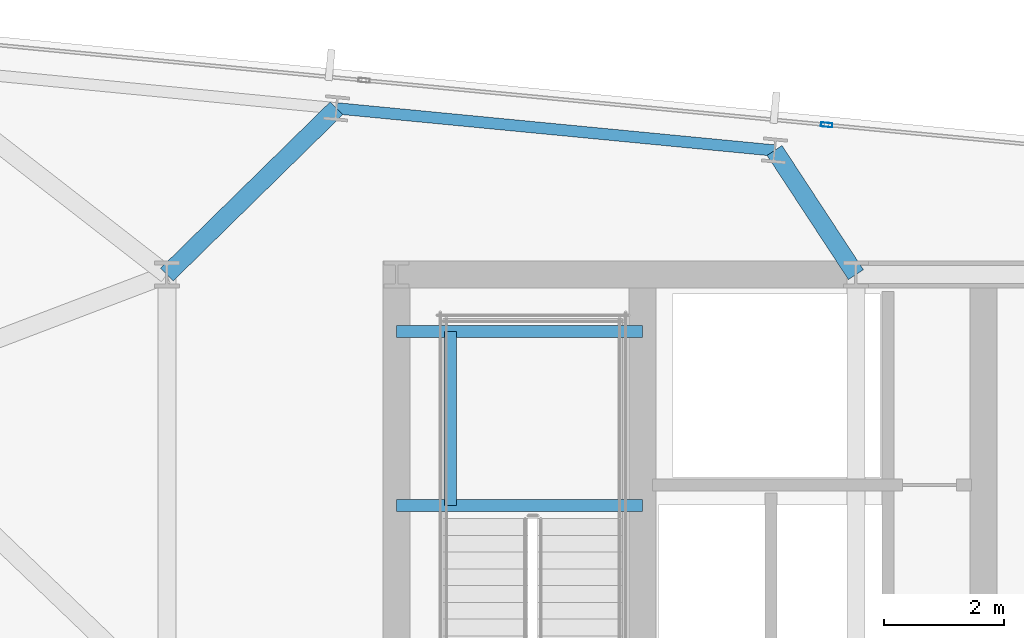
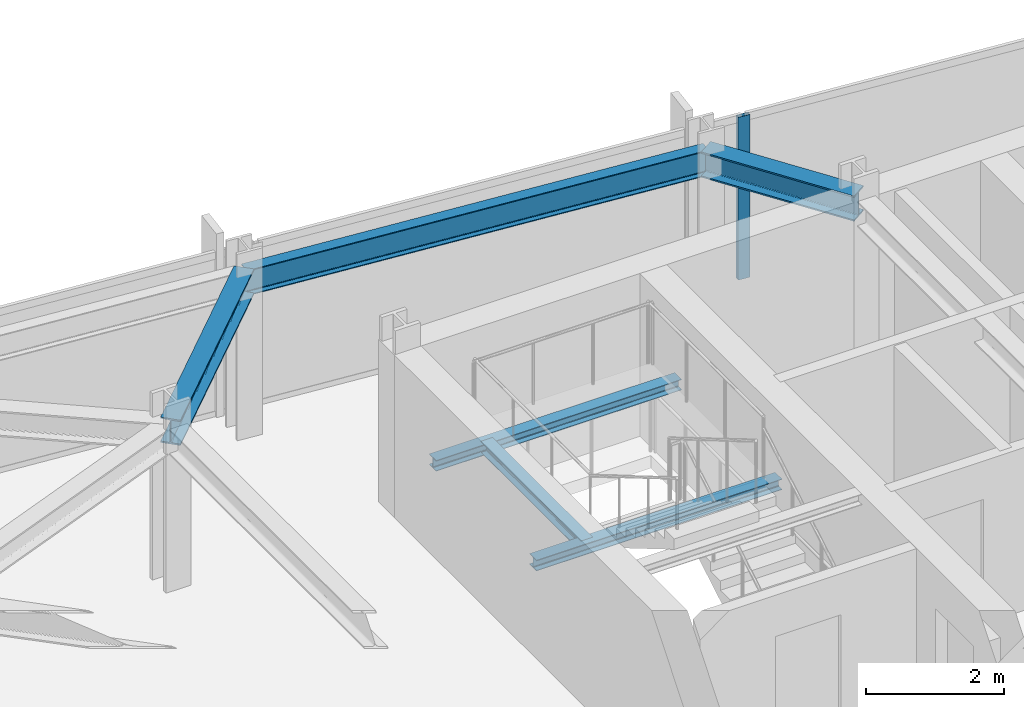
# One storey, part 24 of 37: 6 beams, 1 member, 1 element without a shape of its own.
"""IFC4 building model written with IfcOpenShell, lengths in metres."""

from ifc_helpers import new_model, si_unit, direction, frame, origin, origin_2d, place, context, subcontext, project, spatial, hollow_rectangle, i_section, extrude, material, material_profile, profile_set, type_object, element, aggregate, save


model = new_model("IFC4")

# Units and contexts
model_context = context("Model", 3, precision=1e-05, world=origin(), true_north=direction((0.0, 1.0)))
body_context = subcontext(model_context, "Body", "Model", "MODEL_VIEW")
ifc_project = project(units=[si_unit("LENGTHUNIT", "METRE"), si_unit("AREAUNIT", "SQUARE_METRE"), si_unit("VOLUMEUNIT", "CUBIC_METRE"), si_unit("PLANEANGLEUNIT", "RADIAN"), si_unit("MASSUNIT", "GRAM", prefix="KILO")], contexts=[model_context])

# Site, building, storey
site_placement = place(None, origin())
site = spatial("IfcSite", under=ifc_project, at=site_placement, CompositionType="ELEMENT")
building_placement = place(site_placement, origin())
building = spatial("IfcBuilding", under=site, at=building_placement, Name="Yelkora Congress Tower", CompositionType="ELEMENT")
storey_placement = place(building_placement, frame((0.0, 0.0, 188.60009765625)))
storey = spatial("IfcBuildingStorey", under=building, at=storey_placement, Name="L52", CompositionType="ELEMENT", Elevation=188.60009765625)

# Beams
ifc_material_1 = material(Name="Steel S355J2", Category="steel")
ifc_material_profile_1 = material_profile(ifc_material_1, i_section(OverallWidth=0.300048828125, OverallDepth=0.449951171875, WebThickness=0.013916015625, FlangeThickness=0.02587890625, FilletRadius=0.027099609375, at=origin_2d()), Name="HEB 450")
ifc_profile_set_1 = profile_set([ifc_material_profile_1], Name="Steel S355J2")
beam_type_1 = type_object("IfcBeamType", Name="BM-GIRD-HEB450", PredefinedType="BEAM", material=ifc_profile_set_1)
beam_1_placement = place(storey_placement, frame((22.035400390625, 48.980224609375, 2.65478515625), z_axis=(-0.714019806588, -0.700125500036, 0.0), x_axis=(0.700125500036, -0.714019806588, 0.0)))
element("IfcBeam", 1, at=beam_1_placement, inside=storey, type_object=beam_type_1, Name="L52 Primary Frame Girder N03", PredefinedType="BEAM", context=body_context, shape_type="SweptSolid", body=[
    extrude(i_section(OverallWidth=0.300048828125, OverallDepth=0.449951171875, WebThickness=0.013916015625, FlangeThickness=0.02587890625, FilletRadius=0.027099609375, at=origin_2d()), origin(), (0.0, 0.0, 1.0), 3.97119140625),
])
beam_2_placement = place(storey_placement, frame((29.358642578125, 48.275146484375, 2.65478515625), z_axis=(0.548510321976, -0.8361437835, 0.0), x_axis=(0.8361437835, 0.548510321976, 0.0)))
element("IfcBeam", 2, at=beam_2_placement, inside=storey, type_object=beam_type_1, Name="L52 Primary Frame Girder N04", PredefinedType="BEAM", context=body_context, shape_type="SweptSolid", body=[
    extrude(i_section(OverallWidth=0.300048828125, OverallDepth=0.449951171875, WebThickness=0.013916015625, FlangeThickness=0.02587890625, FilletRadius=0.027099609375, at=origin_2d()), origin(), (0.0, 0.0, 1.0), 2.48193359375),
])
ifc_material_profile_2 = material_profile(ifc_material_1, i_section(OverallWidth=0.199951171875, OverallDepth=0.18994140625, WebThickness=0.006591796875, FlangeThickness=0.010009765625, FilletRadius=0.01806640625, at=origin_2d()), Name="HEA 200")
ifc_profile_set_2 = profile_set([ifc_material_profile_2], Name="Steel S355J2")
beam_type_2 = type_object("IfcBeamType", Name="BM-LAND-HEA200", PredefinedType="BEAM", material=ifc_profile_set_2)
for number, where, z_axis, x_axis, name in (
    (3, (23.0400390625, 42.340087890625, 1.33447265625), (1.0, 0.0, 0.0), (0.0, 1.0, 0.0), "ST-01 L52 Landing Header Beam 1S"),
    (4, (23.0400390625, 45.25, 1.33447265625), (1.0, 0.0, 0.0), (0.0, 1.0, 0.0), "ST-01 L52 Landing Header Beam 1N"),
):
    element("IfcBeam", number, at=place(storey_placement, frame(where, z_axis=z_axis, x_axis=x_axis)), inside=storey, type_object=beam_type_2, Name=name, PredefinedType="BEAM", context=body_context, shape_type="SweptSolid", body=[
        extrude(i_section(OverallWidth=0.199951171875, OverallDepth=0.18994140625, WebThickness=0.006591796875, FlangeThickness=0.010009765625, FilletRadius=0.01806640625, at=origin_2d()), origin(), (0.0, 0.0, 1.0), 4.10986328125),
    ])
beam_3_placement = place(storey_placement, frame((23.93994140625, 42.340087890625, 1.33447265625), z_axis=(0.0, 1.0, 0.0), x_axis=(-1.0, 0.0, 0.0)))
element("IfcBeam", 5, at=beam_3_placement, inside=storey, type_object=beam_type_2, Name="ST-01 L52 Landing Trimmer Beam 1M", PredefinedType="BEAM", context=body_context, shape_type="SweptSolid", body=[
    extrude(i_section(OverallWidth=0.199951171875, OverallDepth=0.18994140625, WebThickness=0.006591796875, FlangeThickness=0.010009765625, FilletRadius=0.01806640625, at=origin_2d()), origin(), (0.0, 0.0, 1.0), 2.909912109375),
])
ifc_material_profile_3 = material_profile(ifc_material_1, i_section(OverallWidth=0.18994140625, OverallDepth=0.449951171875, WebThickness=0.009521484375, FlangeThickness=0.0146484375, FilletRadius=0.02099609375, at=origin_2d()), Name="IPE 450")
ifc_profile_set_3 = profile_set([ifc_material_profile_3], Name="Steel S355J2")
beam_type_3 = type_object("IfcBeamType", Name="BM-SPAN-IPE450", PredefinedType="SPANDREL", material=ifc_profile_set_3)
beam_4_placement = place(storey_placement, frame((29.358642578125, 48.275146484375, 2.65478515625), z_axis=(-0.995397104697, 0.095836339457, 0.0), x_axis=(-0.095836339457, -0.995397104697, 0.0)))
element("IfcBeam", 6, at=beam_4_placement, inside=storey, type_object=beam_type_3, Name="L52 Perimeter Beam 13", PredefinedType="SPANDREL", context=body_context, shape_type="SweptSolid", body=[
    extrude(i_section(OverallWidth=0.18994140625, OverallDepth=0.449951171875, WebThickness=0.009521484375, FlangeThickness=0.0146484375, FilletRadius=0.02099609375, at=origin_2d()), origin(), (0.0, 0.0, 1.0), 7.357177734375),
])

# Curtain wall, member
ifc_material_2 = material(Name="Anodised aluminium and insulated glass", Category="aluminium")
curtain_wall_type = type_object("IfcCurtainWallType", Name="CW-SYS-B3", PredefinedType="NOTDEFINED", material=ifc_material_2)
curtain_wall_placement = place(storey_placement, origin())
curtain_wall = element("IfcCurtainWall", 7, at=curtain_wall_placement, inside=storey, type_object=curtain_wall_type, Name="L52 Unitised Curtain Wall 10 (1)", PredefinedType="NOTDEFINED")
ifc_material_3 = material(Name="Anodised aluminium 6063-T6", Category="aluminium")
ifc_material_profile_4 = material_profile(ifc_material_3, hollow_rectangle(XDim=0.070068359375, YDim=0.18994140625, WallThickness=0.00390625, at=origin_2d()), Name="ALU 70x190x4")
ifc_profile_set_4 = profile_set([ifc_material_profile_4], Name="Anodised aluminium 6063-T6")
member_type = type_object("IfcMemberType", Name="MEM-ML-B3", PredefinedType="MULLION", material=ifc_profile_set_4)
member_placement = place(storey_placement, frame((30.230224609375, 48.70361328125, 0.0), z_axis=(0.0, 0.0, 1.0), x_axis=(0.095844761168, 0.995396293823, 0.0)))
member = element("IfcMember", 8, at=member_placement, type_object=member_type, Name="CW-B3 mullion 4", PredefinedType="MULLION", context=body_context, shape_type="SweptSolid", body=[
    extrude(hollow_rectangle(XDim=0.070068359375, YDim=0.18994140625, WallThickness=0.00390625, at=origin_2d()), origin(), (0.0, 0.0, 1.0), 2.8798828125),
])
aggregate(curtain_wall, [member])

save(model, "model.ifc")
